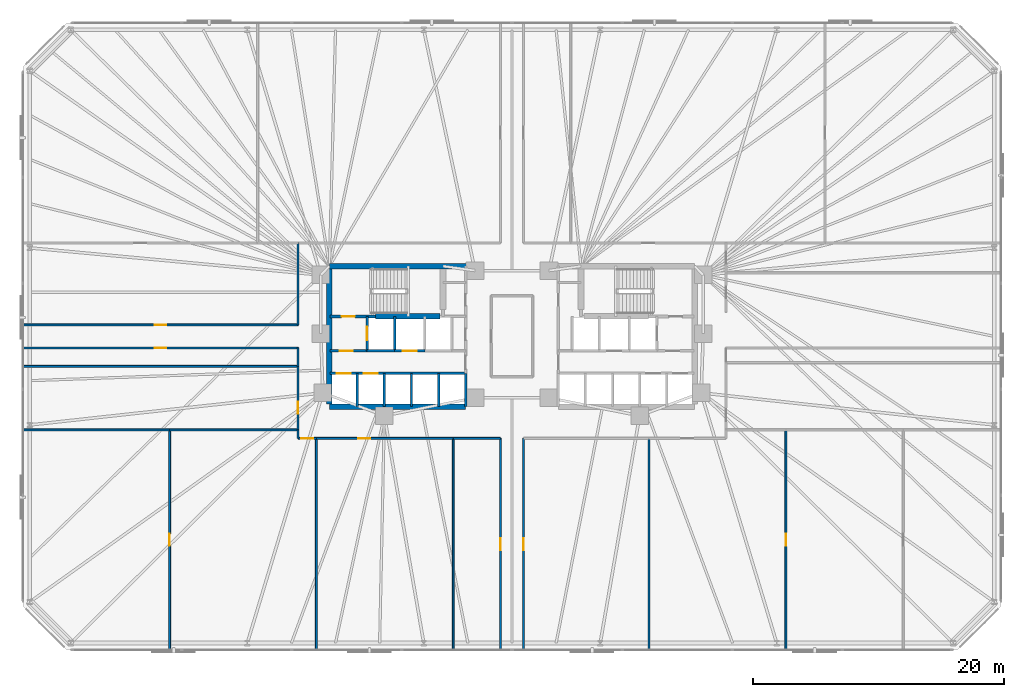
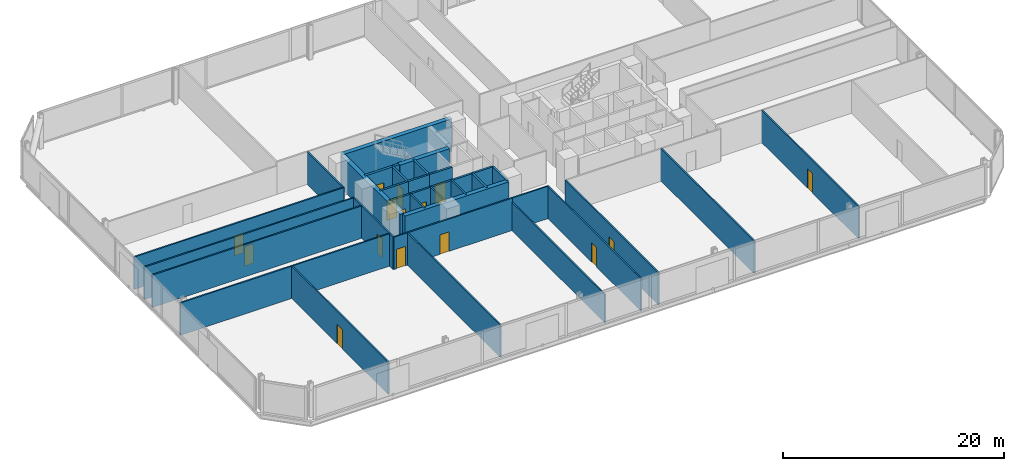
# One storey, part 12 of 17: 35 walls, 15 doors, 15 openings.
"""IFC4 building model written with IfcOpenShell, lengths in metres."""

from ifc_helpers import new_model, si_unit, direction, frame, frame_2d, origin, place, context, subcontext, project, spatial, rectangle, extrude, material, layer, layer_set, type_object, element, fill, save


model = new_model("IFC4")

# Units and contexts
model_context = context("Model", 3, precision=1e-05, world=origin(), true_north=direction((0.0, 1.0)))
body_context = subcontext(model_context, "Body", "Model", "MODEL_VIEW")
ifc_project = project(units=[si_unit("LENGTHUNIT", "METRE"), si_unit("AREAUNIT", "SQUARE_METRE"), si_unit("VOLUMEUNIT", "CUBIC_METRE"), si_unit("PLANEANGLEUNIT", "RADIAN"), si_unit("MASSUNIT", "GRAM", prefix="KILO")], contexts=[model_context])

# Site, building, storey
site_placement = place(None, origin())
site = spatial("IfcSite", under=ifc_project, at=site_placement, CompositionType="ELEMENT")
building_placement = place(site_placement, origin())
building = spatial("IfcBuilding", under=site, at=building_placement, Name="Menara Jurai Vektor", CompositionType="ELEMENT")
storey_placement = place(building_placement, frame((0.0, 0.0, 29.39990234375)))
storey = spatial("IfcBuildingStorey", under=building, at=storey_placement, Name="L06", CompositionType="ELEMENT", Elevation=29.39990234375)

# Wall, opening, door
ifc_material_1 = material(Name="Concrete C40/50", Category="concrete")
ifc_layer_1 = layer(ifc_material_1, 0.25)
ifc_layer_set_1 = layer_set([ifc_layer_1], Name="Concrete C40/50")
wall_type_1 = type_object("IfcWallType", Name="INT-WALL-CORE-250", PredefinedType="STANDARD", material=ifc_layer_set_1)
wall_1_placement = place(storey_placement, frame((-14.5, 1.60009765625, 0.0), z_axis=(0.0, 0.0, 1.0), x_axis=(1.0, 0.0, 0.0)))
wall_1 = element("IfcWall", 1, at=wall_1_placement, inside=storey, type_object=wall_type_1, Name="Interior Wall IW-250 L06", PredefinedType="STANDARD", context=body_context, shape_type="SweptSolid", body=[
    extrude(rectangle(XDim=3.60009765625, YDim=0.25, at=frame_2d((1.800048828125, 0.0))), origin(), (0.0, 0.0, 1.0), 3.5751953125),
])
opening_1_placement = place(wall_1_placement, frame((0.919921875, 0.0, 0.0)))
opening_1 = element("IfcOpeningElement", 2, at=opening_1_placement, cuts=wall_1, Name="Opening D-L06-ST1", PredefinedType="OPENING", context=body_context, shape_type="SweptSolid", body=[
    extrude(rectangle(XDim=1.050048828125, YDim=2.14990234375, at=frame_2d((0.52490234375, 1.074951171875))), frame((0.0, 0.135009765625, 0.0), z_axis=(0.0, -1.0, 0.0), x_axis=(1.0, 0.0, 0.0)), (0.0, 0.0, 1.0), 0.27001953125),
])
ifc_material_2 = material(Name="Fire-Rated Steel Door", Category="steel")
door_type_1 = type_object("IfcDoorType", Name="DR-STAIR-1050", OperationType="NOTDEFINED", PredefinedType="DOOR", material=ifc_material_2)
door_1_placement = place(opening_1_placement, origin())
door_1 = element("IfcDoor", 3, at=door_1_placement, inside=storey, type_object=door_type_1, Name="Exit Stair ST1 Door L06", OperationType="SINGLE_SWING_RIGHT", OverallHeight=2.14990234375, OverallWidth=1.050048828125, PredefinedType="DOOR", context=body_context, shape_type="SweptSolid", body=[
    extrude(rectangle(XDim=1.050048828125, YDim=2.14990234375, at=frame_2d((0.52490234375, 1.074951171875))), frame((0.0, 0.02490234375, 0.0), z_axis=(0.0, -1.0, 0.0), x_axis=(1.0, 0.0, 0.0)), (0.0, 0.0, 1.0), 0.050048828125),
])
fill(opening_1, door_1)

wall_2_placement = place(storey_placement, frame((-11.550048828125, -1.14990234375, 0.0), z_axis=(0.0, 0.0, 1.0), x_axis=(0.0, 1.0, 0.0)))
wall_2 = element("IfcWall", 4, at=wall_2_placement, inside=storey, type_object=wall_type_1, Name="Interior Wall IW-250 L06", PredefinedType="STANDARD", context=body_context, shape_type="SweptSolid", body=[
    extrude(rectangle(XDim=2.75, YDim=0.199951171875, at=frame_2d((1.375, 0.0))), origin(), (0.0, 0.0, 1.0), 3.5751953125),
])
opening_2_placement = place(wall_2_placement, frame((0.824951171875, 0.0, 0.0)))
opening_2 = element("IfcOpeningElement", 5, at=opening_2_placement, cuts=wall_2, Name="Opening LD-L06-FL1", PredefinedType="OPENING", context=body_context, shape_type="SweptSolid", body=[
    extrude(rectangle(XDim=1.10009765625, YDim=2.14990234375, at=frame_2d((0.550048828125, 1.074951171875))), frame((0.0, 0.10986328125, 0.0), z_axis=(0.0, -1.0, 0.0), x_axis=(1.0, 0.0, 0.0)), (0.0, 0.0, 1.0), 0.219970703125),
])
ifc_material_3 = material(Name="Stainless Steel Sliding Lift Landing Door", Category="steel")
door_type_2 = type_object("IfcDoorType", Name="DR-LIFT-FIRE-1100", OperationType="NOTDEFINED", PredefinedType="DOOR", material=ifc_material_3)
door_2_placement = place(opening_2_placement, origin())
door_2 = element("IfcDoor", 6, at=door_2_placement, inside=storey, type_object=door_type_2, Name="Lift Landing Door FL1 L06", OperationType="SLIDING_TO_RIGHT", OverallHeight=2.14990234375, OverallWidth=1.10009765625, PredefinedType="DOOR", context=body_context, shape_type="SweptSolid", body=[
    extrude(rectangle(XDim=1.10009765625, YDim=2.14990234375, at=frame_2d((0.550048828125, 1.074951171875))), frame((0.0, 0.02490234375, 0.0), z_axis=(0.0, -1.0, 0.0), x_axis=(1.0, 0.0, 0.0)), (0.0, 0.0, 1.0), 0.050048828125),
])
fill(opening_2, door_2)

# Wall
wall_3_placement = place(storey_placement, frame((-9.35009765625, -1.14990234375, 0.0), z_axis=(0.0, 0.0, 1.0), x_axis=(0.0, 1.0, 0.0)))
element("IfcWall", 7, at=wall_3_placement, inside=storey, type_object=wall_type_1, Name="Interior Wall IW-250 L06", PredefinedType="STANDARD", context=body_context, shape_type="SweptSolid", body=[
    extrude(rectangle(XDim=2.75, YDim=0.199951171875, at=frame_2d((1.375, 0.0))), origin(), (0.0, 0.0, 1.0), 3.5751953125),
])

# Wall, opening, door
wall_4_placement = place(storey_placement, frame((-14.5, -1.14990234375, 0.0), z_axis=(0.0, 0.0, 1.0), x_axis=(1.0, 0.0, 0.0)))
wall_4 = element("IfcWall", 8, at=wall_4_placement, inside=storey, type_object=wall_type_1, Name="Interior Wall IW-250 L06", PredefinedType="STANDARD", context=body_context, shape_type="SweptSolid", body=[
    extrude(rectangle(XDim=2.949951171875, YDim=0.199951171875, at=frame_2d((1.47509765625, 0.0))), origin(), (0.0, 0.0, 1.0), 3.5751953125),
])
opening_3_placement = place(wall_4_placement, frame((0.75, 0.0, 0.0)))
opening_3 = element("IfcOpeningElement", 9, at=opening_3_placement, cuts=wall_4, Name="Opening D-L06-FFW", PredefinedType="OPENING", context=body_context, shape_type="SweptSolid", body=[
    extrude(rectangle(XDim=1.050048828125, YDim=2.179931640625, at=frame_2d((0.52490234375, 1.08984375))), frame((0.0, 0.10986328125, 0.0), z_axis=(0.0, -1.0, 0.0), x_axis=(1.0, 0.0, 0.0)), (0.0, 0.0, 1.0), 0.219970703125),
])
ifc_material_4 = material(Name="Fire-Rated Timber Door", Category="wood")
door_type_3 = type_object("IfcDoorType", Name="DR-LOBBY-1050", OperationType="NOTDEFINED", PredefinedType="DOOR", material=ifc_material_4)
door_3_placement = place(opening_3_placement, origin())
door_3 = element("IfcDoor", 10, at=door_3_placement, inside=storey, type_object=door_type_3, Name="Fire Lift Lobby Door W L06", OperationType="SINGLE_SWING_RIGHT", OverallHeight=2.179931640625, OverallWidth=1.050048828125, PredefinedType="DOOR", context=body_context, shape_type="SweptSolid", body=[
    extrude(rectangle(XDim=1.050048828125, YDim=2.179931640625, at=frame_2d((0.52490234375, 1.08984375))), frame((0.0, 0.02490234375, 0.0), z_axis=(0.0, -1.0, 0.0), x_axis=(1.0, 0.0, 0.0)), (0.0, 0.0, 1.0), 0.050048828125),
])
fill(opening_3, door_3)

# Walls
wall_5_placement = place(storey_placement, frame((-11.550048828125, -1.14990234375, 0.0), z_axis=(0.0, 0.0, 1.0), x_axis=(1.0, 0.0, 0.0)))
element("IfcWall", 11, at=wall_5_placement, inside=storey, type_object=wall_type_1, Name="Interior Wall IW-250 L06", PredefinedType="STANDARD", context=body_context, shape_type="SweptSolid", body=[
    extrude(rectangle(XDim=2.199951171875, YDim=0.199951171875, at=frame_2d((1.10009765625, 0.0))), origin(), (0.0, 0.0, 1.0), 3.5751953125),
])
ifc_material_5 = material(Name="Gypsum Fireboard Partition", Category="gypsum")
ifc_layer_2 = layer(ifc_material_5, 0.14990234375)
ifc_layer_set_2 = layer_set([ifc_layer_2], Name="Gypsum Fireboard Partition")
wall_type_2 = type_object("IfcWallType", Name="INT-WALL-CORR-150", PredefinedType="PARTITIONING", material=ifc_layer_set_2)
wall_6_placement = place(storey_placement, frame((-17.05908203125, -8.1298828125, 0.0), z_axis=(0.0, 0.0, 1.0), x_axis=(0.0, 1.0, 0.0)))
element("IfcWall", 12, at=wall_6_placement, inside=storey, type_object=wall_type_2, Name="Interior Wall IW-150 L06", PredefinedType="PARTITIONING", context=body_context, shape_type="SweptSolid", body=[
    extrude(rectangle(XDim=0.679931640625, YDim=0.14990234375, at=frame_2d((0.33984375, 0.0))), origin(), (0.0, 0.0, 1.0), 3.5751953125),
])

# Wall, opening, door
wall_7_placement = place(storey_placement, frame((-17.05908203125, -8.1298828125, 0.0), z_axis=(0.0, 0.0, 1.0), x_axis=(1.0, 0.0, 0.0)))
wall_7 = element("IfcWall", 13, at=wall_7_placement, inside=storey, type_object=wall_type_2, Name="Interior Wall IW-150 L06", PredefinedType="PARTITIONING", context=body_context, shape_type="SweptSolid", body=[
    extrude(rectangle(XDim=1.458984375, YDim=0.14990234375, at=frame_2d((0.7294921875, 0.0))), origin(), (0.0, 0.0, 1.0), 3.5751953125),
])
opening_4_placement = place(wall_7_placement, frame((0.25439453125, 0.0, 0.0)))
opening_4 = element("IfcOpeningElement", 14, at=opening_4_placement, cuts=wall_7, Name="Opening D06-08", PredefinedType="OPENING", context=body_context, shape_type="SweptSolid", body=[
    extrude(rectangle(XDim=0.949951171875, YDim=2.14990234375, at=frame_2d((0.47509765625, 1.074951171875))), frame((0.0, 0.0849609375, 0.0), z_axis=(0.0, -1.0, 0.0), x_axis=(1.0, 0.0, 0.0)), (0.0, 0.0, 1.0), 0.169921875),
])
ifc_material_6 = material(Name="Solid Core Timber Fire Door", Category="wood")
door_type_4 = type_object("IfcDoorType", Name="DR-ENTRY-950", OperationType="NOTDEFINED", PredefinedType="DOOR", material=ifc_material_6)
door_4_placement = place(opening_4_placement, origin())
door_4 = element("IfcDoor", 15, at=door_4_placement, inside=storey, type_object=door_type_4, Name="Interior Door D06-08", OperationType="SINGLE_SWING_LEFT", OverallHeight=2.14990234375, OverallWidth=0.949951171875, PredefinedType="DOOR", context=body_context, shape_type="SweptSolid", body=[
    extrude(rectangle(XDim=0.949951171875, YDim=2.14990234375, at=frame_2d((0.47509765625, 1.074951171875))), frame((0.0, 0.02490234375, 0.0), z_axis=(0.0, -1.0, 0.0), x_axis=(1.0, 0.0, 0.0)), (0.0, 0.0, 1.0), 0.050048828125),
])
fill(opening_4, door_4)

wall_8_placement = place(storey_placement, frame((-15.60009765625, -8.1298828125, 0.0), z_axis=(0.0, 0.0, 1.0), x_axis=(1.0, 0.0, 0.0)))
wall_8 = element("IfcWall", 16, at=wall_8_placement, inside=storey, type_object=wall_type_2, Name="Interior Wall IW-150 L06", PredefinedType="PARTITIONING", context=body_context, shape_type="SweptSolid", body=[
    extrude(rectangle(XDim=10.920166015625, YDim=0.14990234375, at=frame_2d((5.4599609375, 0.0))), origin(), (0.0, 0.0, 1.0), 3.5751953125),
])
opening_5_placement = place(wall_8_placement, frame((3.346923828125, 0.0, 0.0)))
opening_5 = element("IfcOpeningElement", 17, at=opening_5_placement, cuts=wall_8, Name="Opening D06-09", PredefinedType="OPENING", context=body_context, shape_type="SweptSolid", body=[
    extrude(rectangle(XDim=0.949951171875, YDim=2.14990234375, at=frame_2d((0.47509765625, 1.074951171875))), frame((0.0, 0.0849609375, 0.0), z_axis=(0.0, -1.0, 0.0), x_axis=(1.0, 0.0, 0.0)), (0.0, 0.0, 1.0), 0.169921875),
])
door_5_placement = place(opening_5_placement, origin())
door_5 = element("IfcDoor", 18, at=door_5_placement, inside=storey, type_object=door_type_4, Name="Interior Door D06-09", OperationType="SINGLE_SWING_RIGHT", OverallHeight=2.14990234375, OverallWidth=0.949951171875, PredefinedType="DOOR", context=body_context, shape_type="SweptSolid", body=[
    extrude(rectangle(XDim=0.949951171875, YDim=2.14990234375, at=frame_2d((0.47509765625, 1.074951171875))), frame((0.0, 0.02490234375, 0.0), z_axis=(0.0, -1.0, 0.0), x_axis=(1.0, 0.0, 0.0)), (0.0, 0.0, 1.0), 0.050048828125),
])
fill(opening_5, door_5)

# Wall
wall_9_placement = place(storey_placement, frame((-4.679931640625, -8.1298828125, 0.0), z_axis=(0.0, 0.0, 1.0), x_axis=(1.0, 0.0, 0.0)))
element("IfcWall", 19, at=wall_9_placement, inside=storey, type_object=wall_type_2, Name="Interior Wall IW-150 L06", PredefinedType="PARTITIONING", context=body_context, shape_type="SweptSolid", body=[
    extrude(rectangle(XDim=3.760009765625, YDim=0.14990234375, at=frame_2d((1.8798828125, 0.0))), origin(), (0.0, 0.0, 1.0), 3.5751953125),
])

# Wall, opening, door
wall_10_placement = place(storey_placement, frame((-0.919921875, -25.0, 0.0), z_axis=(0.0, 0.0, 1.0), x_axis=(0.0, 1.0, 0.0)))
wall_10 = element("IfcWall", 20, at=wall_10_placement, inside=storey, type_object=wall_type_2, Name="Interior Wall IW-150 L06", PredefinedType="PARTITIONING", context=body_context, shape_type="SweptSolid", body=[
    extrude(rectangle(XDim=16.8701171875, YDim=0.14990234375, at=frame_2d((8.43505859375, 0.0))), origin(), (0.0, 0.0, 1.0), 3.5751953125),
])
opening_6_placement = place(wall_10_placement, frame((7.9599609375, 0.0, 0.0)))
opening_6 = element("IfcOpeningElement", 21, at=opening_6_placement, cuts=wall_10, Name="Opening D06-10", PredefinedType="OPENING", context=body_context, shape_type="SweptSolid", body=[
    extrude(rectangle(XDim=0.949951171875, YDim=2.14990234375, at=frame_2d((0.47509765625, 1.074951171875))), frame((0.0, 0.0849609375, 0.0), z_axis=(0.0, -1.0, 0.0), x_axis=(1.0, 0.0, 0.0)), (0.0, 0.0, 1.0), 0.169921875),
])
door_6_placement = place(opening_6_placement, origin())
door_6 = element("IfcDoor", 22, at=door_6_placement, inside=storey, type_object=door_type_4, Name="Interior Door D06-10", OperationType="SINGLE_SWING_LEFT", OverallHeight=2.14990234375, OverallWidth=0.949951171875, PredefinedType="DOOR", context=body_context, shape_type="SweptSolid", body=[
    extrude(rectangle(XDim=0.949951171875, YDim=2.14990234375, at=frame_2d((0.47509765625, 1.074951171875))), frame((0.0, 0.02490234375, 0.0), z_axis=(0.0, -1.0, 0.0), x_axis=(1.0, 0.0, 0.0)), (0.0, 0.0, 1.0), 0.050048828125),
])
fill(opening_6, door_6)

wall_11_placement = place(storey_placement, frame((0.919921875, -25.0, 0.0), z_axis=(0.0, 0.0, 1.0), x_axis=(0.0, 1.0, 0.0)))
wall_11 = element("IfcWall", 23, at=wall_11_placement, inside=storey, type_object=wall_type_2, Name="Interior Wall IW-150 L06", PredefinedType="PARTITIONING", context=body_context, shape_type="SweptSolid", body=[
    extrude(rectangle(XDim=16.8701171875, YDim=0.14990234375, at=frame_2d((8.43505859375, 0.0))), origin(), (0.0, 0.0, 1.0), 3.5751953125),
])
opening_7_placement = place(wall_11_placement, frame((7.9599609375, 0.0, 0.0)))
opening_7 = element("IfcOpeningElement", 24, at=opening_7_placement, cuts=wall_11, Name="Opening D06-11", PredefinedType="OPENING", context=body_context, shape_type="SweptSolid", body=[
    extrude(rectangle(XDim=0.949951171875, YDim=2.14990234375, at=frame_2d((0.47509765625, 1.074951171875))), frame((0.0, 0.0849609375, 0.0), z_axis=(0.0, -1.0, 0.0), x_axis=(1.0, 0.0, 0.0)), (0.0, 0.0, 1.0), 0.169921875),
])
door_7_placement = place(opening_7_placement, origin())
door_7 = element("IfcDoor", 25, at=door_7_placement, inside=storey, type_object=door_type_4, Name="Interior Door D06-11", OperationType="SINGLE_SWING_RIGHT", OverallHeight=2.14990234375, OverallWidth=0.949951171875, PredefinedType="DOOR", context=body_context, shape_type="SweptSolid", body=[
    extrude(rectangle(XDim=0.949951171875, YDim=2.14990234375, at=frame_2d((0.47509765625, 1.074951171875))), frame((0.0, 0.02490234375, 0.0), z_axis=(0.0, -1.0, 0.0), x_axis=(1.0, 0.0, 0.0)), (0.0, 0.0, 1.0), 0.050048828125),
])
fill(opening_7, door_7)

wall_12_placement = place(storey_placement, frame((-17.05908203125, -7.449951171875, 0.0), z_axis=(0.0, 0.0, 1.0), x_axis=(0.0, 1.0, 0.0)))
wall_12 = element("IfcWall", 26, at=wall_12_placement, inside=storey, type_object=wall_type_2, Name="Interior Wall IW-150 L06", PredefinedType="PARTITIONING", context=body_context, shape_type="SweptSolid", body=[
    extrude(rectangle(XDim=5.06591796875, YDim=0.14990234375, at=frame_2d((2.532958984375, 0.0))), origin(), (0.0, 0.0, 1.0), 3.5751953125),
])
opening_8_placement = place(wall_12_placement, frame((1.298095703125, 0.0, 0.0)))
opening_8 = element("IfcOpeningElement", 27, at=opening_8_placement, cuts=wall_12, Name="Opening D06-13", PredefinedType="OPENING", context=body_context, shape_type="SweptSolid", body=[
    extrude(rectangle(XDim=0.949951171875, YDim=2.14990234375, at=frame_2d((0.47509765625, 1.074951171875))), frame((0.0, 0.0849609375, 0.0), z_axis=(0.0, -1.0, 0.0), x_axis=(1.0, 0.0, 0.0)), (0.0, 0.0, 1.0), 0.169921875),
])
door_8_placement = place(opening_8_placement, origin())
door_8 = element("IfcDoor", 28, at=door_8_placement, inside=storey, type_object=door_type_4, Name="Interior Door D06-13", OperationType="SINGLE_SWING_RIGHT", OverallHeight=2.14990234375, OverallWidth=0.949951171875, PredefinedType="DOOR", context=body_context, shape_type="SweptSolid", body=[
    extrude(rectangle(XDim=0.949951171875, YDim=2.14990234375, at=frame_2d((0.47509765625, 1.074951171875))), frame((0.0, 0.02490234375, 0.0), z_axis=(0.0, -1.0, 0.0), x_axis=(1.0, 0.0, 0.0)), (0.0, 0.0, 1.0), 0.050048828125),
])
fill(opening_8, door_8)

wall_13_placement = place(storey_placement, frame((-39.0, -0.919921875, 0.0), z_axis=(0.0, 0.0, 1.0), x_axis=(1.0, 0.0, 0.0)))
wall_13 = element("IfcWall", 29, at=wall_13_placement, inside=storey, type_object=wall_type_2, Name="Interior Wall IW-150 L06", PredefinedType="PARTITIONING", context=body_context, shape_type="SweptSolid", body=[
    extrude(rectangle(XDim=21.94091796875, YDim=0.14990234375, at=frame_2d((10.970458984375, 0.0))), origin(), (0.0, 0.0, 1.0), 3.5751953125),
])
opening_9_placement = place(wall_13_placement, frame((10.49560546875, 0.0, 0.0)))
opening_9 = element("IfcOpeningElement", 30, at=opening_9_placement, cuts=wall_13, Name="Opening D06-14", PredefinedType="OPENING", context=body_context, shape_type="SweptSolid", body=[
    extrude(rectangle(XDim=0.949951171875, YDim=2.14990234375, at=frame_2d((0.47509765625, 1.074951171875))), frame((0.0, 0.0849609375, 0.0), z_axis=(0.0, -1.0, 0.0), x_axis=(1.0, 0.0, 0.0)), (0.0, 0.0, 1.0), 0.169921875),
])
door_9_placement = place(opening_9_placement, origin())
door_9 = element("IfcDoor", 31, at=door_9_placement, inside=storey, type_object=door_type_4, Name="Interior Door D06-14", OperationType="SINGLE_SWING_LEFT", OverallHeight=2.14990234375, OverallWidth=0.949951171875, PredefinedType="DOOR", context=body_context, shape_type="SweptSolid", body=[
    extrude(rectangle(XDim=0.949951171875, YDim=2.14990234375, at=frame_2d((0.47509765625, 1.074951171875))), frame((0.0, 0.02490234375, 0.0), z_axis=(0.0, -1.0, 0.0), x_axis=(1.0, 0.0, 0.0)), (0.0, 0.0, 1.0), 0.050048828125),
])
fill(opening_9, door_9)

# Wall
wall_14_placement = place(storey_placement, frame((-17.05908203125, -2.384033203125, 0.0), z_axis=(0.0, 0.0, 1.0), x_axis=(0.0, 1.0, 0.0)))
element("IfcWall", 32, at=wall_14_placement, inside=storey, type_object=wall_type_2, Name="Interior Wall IW-150 L06", PredefinedType="PARTITIONING", context=body_context, shape_type="SweptSolid", body=[
    extrude(rectangle(XDim=1.464111328125, YDim=0.14990234375, at=frame_2d((0.73193359375, 0.0))), origin(), (0.0, 0.0, 1.0), 3.5751953125),
])

# Wall, opening, door
wall_15_placement = place(storey_placement, frame((-39.0, 0.919921875, 0.0), z_axis=(0.0, 0.0, 1.0), x_axis=(1.0, 0.0, 0.0)))
wall_15 = element("IfcWall", 33, at=wall_15_placement, inside=storey, type_object=wall_type_2, Name="Interior Wall IW-150 L06", PredefinedType="PARTITIONING", context=body_context, shape_type="SweptSolid", body=[
    extrude(rectangle(XDim=21.94091796875, YDim=0.14990234375, at=frame_2d((10.970458984375, 0.0))), origin(), (0.0, 0.0, 1.0), 3.5751953125),
])
opening_10_placement = place(wall_15_placement, frame((10.49560546875, 0.0, 0.0)))
opening_10 = element("IfcOpeningElement", 34, at=opening_10_placement, cuts=wall_15, Name="Opening D06-15", PredefinedType="OPENING", context=body_context, shape_type="SweptSolid", body=[
    extrude(rectangle(XDim=0.949951171875, YDim=2.14990234375, at=frame_2d((0.47509765625, 1.074951171875))), frame((0.0, 0.0849609375, 0.0), z_axis=(0.0, -1.0, 0.0), x_axis=(1.0, 0.0, 0.0)), (0.0, 0.0, 1.0), 0.169921875),
])
door_10_placement = place(opening_10_placement, origin())
door_10 = element("IfcDoor", 35, at=door_10_placement, inside=storey, type_object=door_type_4, Name="Interior Door D06-15", OperationType="SINGLE_SWING_RIGHT", OverallHeight=2.14990234375, OverallWidth=0.949951171875, PredefinedType="DOOR", context=body_context, shape_type="SweptSolid", body=[
    extrude(rectangle(XDim=0.949951171875, YDim=2.14990234375, at=frame_2d((0.47509765625, 1.074951171875))), frame((0.0, 0.02490234375, 0.0), z_axis=(0.0, -1.0, 0.0), x_axis=(1.0, 0.0, 0.0)), (0.0, 0.0, 1.0), 0.050048828125),
])
fill(opening_10, door_10)

# Wall
wall_16_placement = place(storey_placement, frame((-17.05908203125, 0.919921875, 0.0), z_axis=(0.0, 0.0, 1.0), x_axis=(0.0, 1.0, 0.0)))
element("IfcWall", 36, at=wall_16_placement, inside=storey, type_object=wall_type_2, Name="Interior Wall IW-150 L06", PredefinedType="PARTITIONING", context=body_context, shape_type="SweptSolid", body=[
    extrude(rectangle(XDim=6.530029296875, YDim=0.14990234375, at=frame_2d((3.26513671875, 0.0))), origin(), (0.0, 0.0, 1.0), 3.5751953125),
])

# Wall, opening, door
wall_17_placement = place(storey_placement, frame((-27.300048828125, -25.0, 0.0), z_axis=(0.0, 0.0, 1.0), x_axis=(0.0, 1.0, 0.0)))
wall_17 = element("IfcWall", 37, at=wall_17_placement, inside=storey, type_object=wall_type_2, Name="Interior Wall IW-150 L06", PredefinedType="PARTITIONING", context=body_context, shape_type="SweptSolid", body=[
    extrude(rectangle(XDim=17.550048828125, YDim=0.14990234375, at=frame_2d((8.77490234375, 0.0))), origin(), (0.0, 0.0, 1.0), 3.5751953125),
])
opening_11_placement = place(wall_17_placement, frame((8.300048828125, 0.0, 0.0)))
opening_11 = element("IfcOpeningElement", 38, at=opening_11_placement, cuts=wall_17, Name="Opening D06-22", PredefinedType="OPENING", context=body_context, shape_type="SweptSolid", body=[
    extrude(rectangle(XDim=0.949951171875, YDim=2.14990234375, at=frame_2d((0.47509765625, 1.074951171875))), frame((0.0, 0.0849609375, 0.0), z_axis=(0.0, -1.0, 0.0), x_axis=(1.0, 0.0, 0.0)), (0.0, 0.0, 1.0), 0.169921875),
])
door_11_placement = place(opening_11_placement, origin())
door_11 = element("IfcDoor", 39, at=door_11_placement, inside=storey, type_object=door_type_4, Name="Interior Door D06-22", OperationType="SINGLE_SWING_LEFT", OverallHeight=2.14990234375, OverallWidth=0.949951171875, PredefinedType="DOOR", context=body_context, shape_type="SweptSolid", body=[
    extrude(rectangle(XDim=0.949951171875, YDim=2.14990234375, at=frame_2d((0.47509765625, 1.074951171875))), frame((0.0, 0.02490234375, 0.0), z_axis=(0.0, -1.0, 0.0), x_axis=(1.0, 0.0, 0.0)), (0.0, 0.0, 1.0), 0.050048828125),
])
fill(opening_11, door_11)

# Walls
wall_18_placement = place(storey_placement, frame((-39.0, -7.449951171875, 0.0), z_axis=(0.0, 0.0, 1.0), x_axis=(1.0, 0.0, 0.0)))
element("IfcWall", 40, at=wall_18_placement, inside=storey, type_object=wall_type_2, Name="Interior Wall IW-150 L06", PredefinedType="PARTITIONING", context=body_context, shape_type="SweptSolid", body=[
    extrude(rectangle(XDim=11.699951171875, YDim=0.14990234375, at=frame_2d((5.85009765625, 0.0))), origin(), (0.0, 0.0, 1.0), 3.5751953125),
])
wall_19_placement = place(storey_placement, frame((-15.60009765625, -25.0, 0.0), z_axis=(0.0, 0.0, 1.0), x_axis=(0.0, 1.0, 0.0)))
element("IfcWall", 41, at=wall_19_placement, inside=storey, type_object=wall_type_2, Name="Interior Wall IW-150 L06", PredefinedType="PARTITIONING", context=body_context, shape_type="SweptSolid", body=[
    extrude(rectangle(XDim=16.8701171875, YDim=0.14990234375, at=frame_2d((8.43505859375, 0.0))), origin(), (0.0, 0.0, 1.0), 3.5751953125),
])
wall_20_placement = place(storey_placement, frame((-27.300048828125, -7.449951171875, 0.0), z_axis=(0.0, 0.0, 1.0), x_axis=(1.0, 0.0, 0.0)))
element("IfcWall", 42, at=wall_20_placement, inside=storey, type_object=wall_type_2, Name="Interior Wall IW-150 L06", PredefinedType="PARTITIONING", context=body_context, shape_type="SweptSolid", body=[
    extrude(rectangle(XDim=10.240966796875, YDim=0.14990234375, at=frame_2d((5.12060546875, 0.0))), origin(), (0.0, 0.0, 1.0), 3.5751953125),
])
wall_21_placement = place(storey_placement, frame((10.919921875, -25.0, 0.0), z_axis=(0.0, 0.0, 1.0), x_axis=(0.0, 1.0, 0.0)))
element("IfcWall", 43, at=wall_21_placement, inside=storey, type_object=wall_type_2, Name="Interior Wall IW-150 L06", PredefinedType="PARTITIONING", context=body_context, shape_type="SweptSolid", body=[
    extrude(rectangle(XDim=16.8701171875, YDim=0.14990234375, at=frame_2d((8.43505859375, 0.0))), origin(), (0.0, 0.0, 1.0), 3.5751953125),
])

# Wall, opening, door
wall_22_placement = place(storey_placement, frame((21.840087890625, -25.0, 0.0), z_axis=(0.0, 0.0, 1.0), x_axis=(0.0, 1.0, 0.0)))
wall_22 = element("IfcWall", 44, at=wall_22_placement, inside=storey, type_object=wall_type_2, Name="Interior Wall IW-150 L06", PredefinedType="PARTITIONING", context=body_context, shape_type="SweptSolid", body=[
    extrude(rectangle(XDim=17.550048828125, YDim=0.14990234375, at=frame_2d((8.77490234375, 0.0))), origin(), (0.0, 0.0, 1.0), 3.5751953125),
])
opening_12_placement = place(wall_22_placement, frame((8.300048828125, 0.0, 0.0)))
opening_12 = element("IfcOpeningElement", 45, at=opening_12_placement, cuts=wall_22, Name="Opening D06-23", PredefinedType="OPENING", context=body_context, shape_type="SweptSolid", body=[
    extrude(rectangle(XDim=0.949951171875, YDim=2.14990234375, at=frame_2d((0.47509765625, 1.074951171875))), frame((0.0, 0.0849609375, 0.0), z_axis=(0.0, -1.0, 0.0), x_axis=(1.0, 0.0, 0.0)), (0.0, 0.0, 1.0), 0.169921875),
])
door_12_placement = place(opening_12_placement, origin())
door_12 = element("IfcDoor", 46, at=door_12_placement, inside=storey, type_object=door_type_4, Name="Interior Door D06-23", OperationType="SINGLE_SWING_RIGHT", OverallHeight=2.14990234375, OverallWidth=0.949951171875, PredefinedType="DOOR", context=body_context, shape_type="SweptSolid", body=[
    extrude(rectangle(XDim=0.949951171875, YDim=2.14990234375, at=frame_2d((0.47509765625, 1.074951171875))), frame((0.0, 0.02490234375, 0.0), z_axis=(0.0, -1.0, 0.0), x_axis=(1.0, 0.0, 0.0)), (0.0, 0.0, 1.0), 0.050048828125),
])
fill(opening_12, door_12)

# Walls
wall_23_placement = place(storey_placement, frame((-39.0, -2.384033203125, 0.0), z_axis=(0.0, 0.0, 1.0), x_axis=(1.0, 0.0, 0.0)))
element("IfcWall", 47, at=wall_23_placement, inside=storey, type_object=wall_type_2, Name="Interior Wall IW-150 L06", PredefinedType="PARTITIONING", context=body_context, shape_type="SweptSolid", body=[
    extrude(rectangle(XDim=21.94091796875, YDim=0.14990234375, at=frame_2d((10.970458984375, 0.0))), origin(), (0.0, 0.0, 1.0), 3.5751953125),
])
ifc_layer_3 = layer(ifc_material_5, 0.14990234375)
ifc_layer_set_3 = layer_set([ifc_layer_3], Name="Gypsum Fireboard Partition")
wall_type_3 = type_object("IfcWallType", Name="INT-WALL-CORR-150-H1", PredefinedType="PARTITIONING", material=ifc_layer_set_3)
wall_24_placement = place(storey_placement, frame((-4.679931640625, -25.0, 0.0), z_axis=(0.0, 0.0, 1.0), x_axis=(0.0, 1.0, 0.0)))
element("IfcWall", 48, at=wall_24_placement, inside=storey, type_object=wall_type_3, Name="Interior Wall IW-150 L06", PredefinedType="PARTITIONING", context=body_context, shape_type="SweptSolid", body=[
    extrude(rectangle(XDim=16.8701171875, YDim=0.14990234375, at=frame_2d((8.43505859375, 0.0))), origin(), (0.0, 0.0, 1.0), 3.125),
])
ifc_layer_4 = layer(ifc_material_1, 0.199951171875)
ifc_layer_set_4 = layer_set([ifc_layer_4], Name="Concrete C40/50")
wall_type_4 = type_object("IfcWallType", Name="INT-WALL-SHAFT-200", PredefinedType="STANDARD", material=ifc_layer_set_4)
wall_25_placement = place(storey_placement, frame((-3.699951171875, -5.60009765625, 0.0), z_axis=(0.0, 0.0, 1.0), x_axis=(0.0, 1.0, 0.0)))
element("IfcWall", 49, at=wall_25_placement, inside=storey, type_object=wall_type_4, Name="Interior Wall IW-200 L06", PredefinedType="STANDARD", context=body_context, shape_type="SweptSolid", body=[
    extrude(rectangle(XDim=2.650146484375, YDim=0.199951171875, at=frame_2d((1.3251953125, 0.0))), origin(), (0.0, 0.0, 1.0), 3.5751953125),
])

# Wall, opening, door
wall_26_placement = place(storey_placement, frame((-9.35009765625, -1.14990234375, 0.0), z_axis=(0.0, 0.0, 1.0), x_axis=(1.0, 0.0, 0.0)))
wall_26 = element("IfcWall", 50, at=wall_26_placement, inside=storey, type_object=wall_type_4, Name="Interior Wall IW-200 L06", PredefinedType="STANDARD", context=body_context, shape_type="SweptSolid", body=[
    extrude(rectangle(XDim=2.400146484375, YDim=0.199951171875, at=frame_2d((1.2001953125, 0.0))), origin(), (0.0, 0.0, 1.0), 3.5751953125),
])
opening_13_placement = place(wall_26_placement, frame((0.64990234375, 0.0, 0.0)))
opening_13 = element("IfcOpeningElement", 51, at=opening_13_placement, cuts=wall_26, Name="Opening LD-L06-SVL1", PredefinedType="OPENING", context=body_context, shape_type="SweptSolid", body=[
    extrude(rectangle(XDim=1.10009765625, YDim=2.14990234375, at=frame_2d((0.550048828125, 1.074951171875))), frame((0.0, 0.10986328125, 0.0), z_axis=(0.0, -1.0, 0.0), x_axis=(1.0, 0.0, 0.0)), (0.0, 0.0, 1.0), 0.219970703125),
])
ifc_material_7 = material(Name="Anodised Stainless Sliding Lift Landing Door", Category="steel")
door_type_5 = type_object("IfcDoorType", Name="DR-LIFT-PASS-1100", OperationType="NOTDEFINED", PredefinedType="DOOR", material=ifc_material_7)
door_13_placement = place(opening_13_placement, origin())
door_13 = element("IfcDoor", 52, at=door_13_placement, inside=storey, type_object=door_type_5, Name="Lift Landing Door SVL1 L06", OperationType="SLIDING_TO_RIGHT", OverallHeight=2.14990234375, OverallWidth=1.10009765625, PredefinedType="DOOR", context=body_context, shape_type="SweptSolid", body=[
    extrude(rectangle(XDim=1.10009765625, YDim=2.14990234375, at=frame_2d((0.550048828125, 1.074951171875))), frame((0.0, 0.02490234375, 0.0), z_axis=(0.0, -1.0, 0.0), x_axis=(1.0, 0.0, 0.0)), (0.0, 0.0, 1.0), 0.050048828125),
])
fill(opening_13, door_13)

# Wall, openings, doors
wall_27_placement = place(storey_placement, frame((-14.5, -2.949951171875, 0.0), z_axis=(0.0, 0.0, 1.0), x_axis=(1.0, 0.0, 0.0)))
wall_27 = element("IfcWall", 53, at=wall_27_placement, inside=storey, type_object=wall_type_4, Name="Interior Wall IW-200 L06", PredefinedType="STANDARD", context=body_context, shape_type="SweptSolid", body=[
    extrude(rectangle(XDim=10.800048828125, YDim=0.199951171875, at=frame_2d((5.39990234375, 0.0))), origin(), (0.0, 0.0, 1.0), 3.5751953125),
])
opening_14_placement = place(wall_27_placement, frame((0.530029296875, 0.0, 0.0)))
opening_14 = element("IfcOpeningElement", 54, at=opening_14_placement, cuts=wall_27, Name="Opening LD-L06-PL1", PredefinedType="OPENING", context=body_context, shape_type="SweptSolid", body=[
    extrude(rectangle(XDim=1.10009765625, YDim=2.14990234375, at=frame_2d((0.550048828125, 1.074951171875))), frame((0.0, 0.10986328125, 0.0), z_axis=(0.0, -1.0, 0.0), x_axis=(1.0, 0.0, 0.0)), (0.0, 0.0, 1.0), 0.219970703125),
])
opening_15_placement = place(wall_27_placement, frame((2.68994140625, 0.0, 0.0)))
opening_15 = element("IfcOpeningElement", 55, at=opening_15_placement, cuts=wall_27, Name="Opening LD-L06-PL2", PredefinedType="OPENING", context=body_context, shape_type="SweptSolid", body=[
    extrude(rectangle(XDim=1.10009765625, YDim=2.14990234375, at=frame_2d((0.550048828125, 1.074951171875))), frame((0.0, 0.10986328125, 0.0), z_axis=(0.0, -1.0, 0.0), x_axis=(1.0, 0.0, 0.0)), (0.0, 0.0, 1.0), 0.219970703125),
])
door_14_placement = place(opening_14_placement, origin())
door_14 = element("IfcDoor", 56, at=door_14_placement, inside=storey, type_object=door_type_5, Name="Lift Landing Door PL1 L06", OperationType="SLIDING_TO_RIGHT", OverallHeight=2.14990234375, OverallWidth=1.10009765625, PredefinedType="DOOR", context=body_context, shape_type="SweptSolid", body=[
    extrude(rectangle(XDim=1.10009765625, YDim=2.14990234375, at=frame_2d((0.550048828125, 1.074951171875))), frame((0.0, 0.02490234375, 0.0), z_axis=(0.0, -1.0, 0.0), x_axis=(1.0, 0.0, 0.0)), (0.0, 0.0, 1.0), 0.050048828125),
])
fill(opening_14, door_14)
door_15_placement = place(opening_15_placement, origin())
door_15 = element("IfcDoor", 57, at=door_15_placement, inside=storey, type_object=door_type_5, Name="Lift Landing Door PL2 L06", OperationType="SLIDING_TO_RIGHT", OverallHeight=2.14990234375, OverallWidth=1.10009765625, PredefinedType="DOOR", context=body_context, shape_type="SweptSolid", body=[
    extrude(rectangle(XDim=1.10009765625, YDim=2.14990234375, at=frame_2d((0.550048828125, 1.074951171875))), frame((0.0, 0.02490234375, 0.0), z_axis=(0.0, -1.0, 0.0), x_axis=(1.0, 0.0, 0.0)), (0.0, 0.0, 1.0), 0.050048828125),
])
fill(opening_15, door_15)

# Walls
wall_28_placement = place(storey_placement, frame((-5.860107421875, -5.60009765625, 0.0), z_axis=(0.0, 0.0, 1.0), x_axis=(0.0, 1.0, 0.0)))
element("IfcWall", 58, at=wall_28_placement, inside=storey, type_object=wall_type_4, Name="Interior Wall IW-200 L06", PredefinedType="STANDARD", context=body_context, shape_type="SweptSolid", body=[
    extrude(rectangle(XDim=2.650146484375, YDim=0.199951171875, at=frame_2d((1.3251953125, 0.0))), origin(), (0.0, 0.0, 1.0), 3.5751953125),
])
for number, where, z_axis, x_axis, name in (
    (59, (-12.340087890625, -5.60009765625, 0.0), (0.0, 0.0, 1.0), (0.0, 1.0, 0.0), "Interior Wall IW-200 L06"),
    (60, (-10.179931640625, -5.60009765625, 0.0), (0.0, 0.0, 1.0), (0.0, 1.0, 0.0), "Interior Wall IW-200 L06"),
    (61, (-8.02001953125, -5.60009765625, 0.0), (0.0, 0.0, 1.0), (0.0, 1.0, 0.0), "Interior Wall IW-200 L06"),
):
    element("IfcWall", number, at=place(storey_placement, frame(where, z_axis=z_axis, x_axis=x_axis)), inside=storey, type_object=wall_type_4, Name=name, PredefinedType="STANDARD", context=body_context, shape_type="SweptSolid", body=[
        extrude(rectangle(XDim=2.650146484375, YDim=0.179931640625, at=frame_2d((1.3251953125, 0.0))), origin(), (0.0, 0.0, 1.0), 3.5751953125),
    ])
ifc_material_8 = material(Name="Concrete C60/75", Category="concrete")
ifc_layer_5 = layer(ifc_material_8, 0.449951171875)
ifc_layer_set_5 = layer_set([ifc_layer_5], Name="Concrete C60/75")
wall_type_5 = type_object("IfcWallType", Name="STR-WALL-CORE450", PredefinedType="SHEAR", material=ifc_layer_set_5)
wall_29_placement = place(storey_placement, frame((-14.56005859375, 5.60009765625, 0.0), z_axis=(0.0, 0.0, 1.0), x_axis=(1.0, 0.0, 0.0)))
element("IfcWall", 62, at=wall_29_placement, inside=storey, type_object=wall_type_5, Name="Core Shear Wall CW-W-N L06", PredefinedType="SHEAR", context=body_context, shape_type="SweptSolid", body=[
    extrude(rectangle(XDim=11.41015625, YDim=0.449951171875, at=frame_2d((5.705078125, 0.0))), origin(), (0.0, 0.0, 1.0), 3.5751953125),
])
wall_30_placement = place(storey_placement, frame((-14.56005859375, -5.60009765625, 0.0), z_axis=(0.0, 0.0, 1.0), x_axis=(1.0, 0.0, 0.0)))
element("IfcWall", 63, at=wall_30_placement, inside=storey, type_object=wall_type_5, Name="Core Shear Wall CW-W-S L06", PredefinedType="SHEAR", context=body_context, shape_type="SweptSolid", body=[
    extrude(rectangle(XDim=10.860107421875, YDim=0.449951171875, at=frame_2d((5.43017578125, 0.0))), origin(), (0.0, 0.0, 1.0), 3.5751953125),
])
wall_31_placement = place(storey_placement, frame((-14.56005859375, -5.375, 0.0), z_axis=(0.0, 0.0, 1.0), x_axis=(0.0, 1.0, 0.0)))
element("IfcWall", 64, at=wall_31_placement, inside=storey, type_object=wall_type_5, Name="Core Shear Wall CW-W-W L06", PredefinedType="SHEAR", context=body_context, shape_type="SweptSolid", body=[
    extrude(rectangle(XDim=10.75, YDim=0.449951171875, at=frame_2d((5.375, 0.0))), origin(), (0.0, 0.0, 1.0), 3.5751953125),
])
wall_32_placement = place(storey_placement, frame((-10.89990234375, 1.60009765625, 0.0), z_axis=(0.0, 0.0, 1.0), x_axis=(1.0, 0.0, 0.0)))
element("IfcWall", 65, at=wall_32_placement, inside=storey, type_object=wall_type_5, Name="Core Shear Wall CW-W-STS L06", PredefinedType="SHEAR", context=body_context, shape_type="SweptSolid", body=[
    extrude(rectangle(XDim=5.14990234375, YDim=0.449951171875, at=frame_2d((2.574951171875, 0.0))), origin(), (0.0, 0.0, 1.0), 3.5751953125),
])

save(model, "model.ifc")
